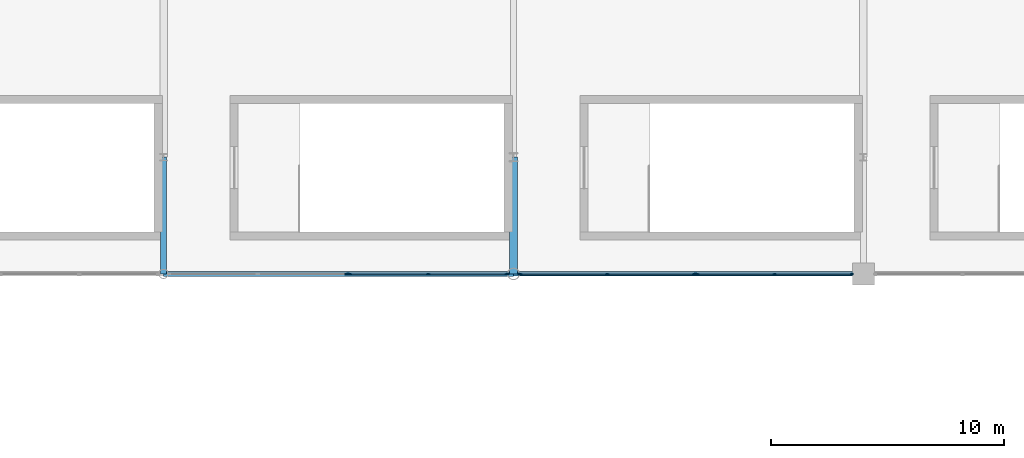
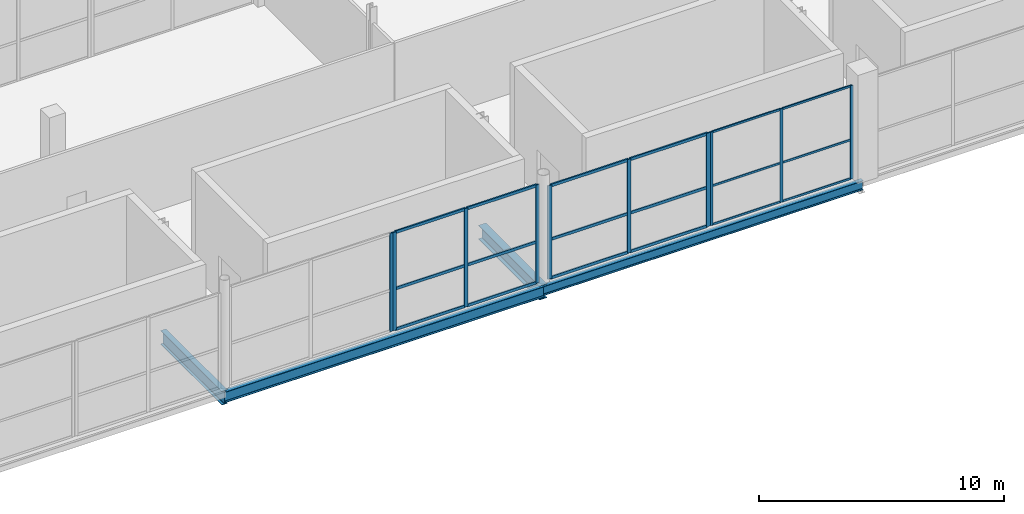
# One storey, part 33 of 119: 28 members, 4 beams, 4 elements without a shape of their own.
"""IFC4 building model written with IfcOpenShell, lengths in metres."""

from ifc_helpers import new_model, si_unit, direction, frame, origin, origin_2d, place, context, subcontext, project, spatial, rectangle, i_section, extrude, material, layer, layer_set, material_profile, profile_set, type_object, element, aggregate, save


model = new_model("IFC4")

# Units and contexts
model_context = context("Model", 3, precision=1e-05, world=origin(), true_north=direction((0.0, 1.0)))
body_context = subcontext(model_context, "Body", "Model", "MODEL_VIEW")
ifc_project = project(units=[si_unit("LENGTHUNIT", "METRE"), si_unit("AREAUNIT", "SQUARE_METRE"), si_unit("VOLUMEUNIT", "CUBIC_METRE"), si_unit("PLANEANGLEUNIT", "RADIAN"), si_unit("MASSUNIT", "GRAM", prefix="KILO")], contexts=[model_context])

# Site, building, storey
site_placement = place(None, origin())
site = spatial("IfcSite", under=ifc_project, at=site_placement, CompositionType="ELEMENT")
building_placement = place(site_placement, origin())
building = spatial("IfcBuilding", under=site, at=building_placement, Name="Qamarlyn Nura Convention Centre", CompositionType="ELEMENT")
storey_placement = place(building_placement, frame((0.0, 0.0, 5.39990234375)))
storey = spatial("IfcBuildingStorey", under=building, at=storey_placement, Name="L01", CompositionType="ELEMENT", Elevation=5.39990234375)

# Beams
ifc_material_1 = material(Name="Steel ASTM A992", Category="steel")
ifc_material_profile_1 = material_profile(ifc_material_1, i_section(OverallWidth=0.35498046875, OverallDepth=0.695068359375, WebThickness=0.015380859375, FlangeThickness=0.02490234375, FilletRadius=0.01806640625, at=origin_2d()), Name="W690X217")
ifc_profile_set_1 = profile_set([ifc_material_profile_1], Name="Steel ASTM A992")
beam_type_1 = type_object("IfcBeamType", Name="BM-GIRD-690A", PredefinedType="BEAM", material=ifc_profile_set_1)
beam_1_placement = place(storey_placement, frame((45.0, 103.0, -0.5673828125), z_axis=(0.0, 1.0, 0.0), x_axis=(-1.0, 0.0, 0.0)))
element("IfcBeam", 1, at=beam_1_placement, inside=storey, type_object=beam_type_1, Name="L01 girder 4 M-N", PredefinedType="BEAM", context=body_context, shape_type="SweptSolid", body=[
    extrude(i_section(OverallWidth=0.35498046875, OverallDepth=0.695068359375, WebThickness=0.015380859375, FlangeThickness=0.02490234375, FilletRadius=0.01806640625, at=origin_2d()), origin(), (0.0, 0.0, 1.0), 5.0),
])
ifc_material_profile_2 = material_profile(ifc_material_1, i_section(OverallWidth=0.25390625, OverallDepth=0.68408203125, WebThickness=0.012451171875, FlangeThickness=0.01904296875, FilletRadius=0.01806640625, at=origin_2d()), Name="W690X140")
ifc_profile_set_2 = profile_set([ifc_material_profile_2], Name="Steel ASTM A992")
beam_type_2 = type_object("IfcBeamType", Name="BM-GIRD-690B", PredefinedType="BEAM", material=ifc_profile_set_2)
beam_2_placement = place(storey_placement, frame((30.0, 103.0, -0.56201171875), z_axis=(0.0, 1.0, 0.0), x_axis=(-1.0, 0.0, 0.0)))
element("IfcBeam", 2, at=beam_2_placement, inside=storey, type_object=beam_type_2, Name="L01 girder 3 M-N", PredefinedType="BEAM", context=body_context, shape_type="SweptSolid", body=[
    extrude(i_section(OverallWidth=0.25390625, OverallDepth=0.68408203125, WebThickness=0.012451171875, FlangeThickness=0.01904296875, FilletRadius=0.01806640625, at=origin_2d()), origin(), (0.0, 0.0, 1.0), 5.0),
])
ifc_material_profile_3 = material_profile(ifc_material_1, i_section(OverallWidth=0.193115234375, OverallDepth=0.466064453125, WebThickness=0.011474609375, FlangeThickness=0.01904296875, FilletRadius=0.012939453125, at=origin_2d()), Name="W460X97")
ifc_profile_set_3 = profile_set([ifc_material_profile_3], Name="Steel ASTM A992")
beam_type_3 = type_object("IfcBeamType", Name="BM-SPAN-460", PredefinedType="SPANDREL", material=ifc_profile_set_3)
beam_3_placement = place(storey_placement, frame((45.0, 103.0, -0.452880859375), z_axis=(1.0, 0.0, 0.0), x_axis=(0.0, 1.0, 0.0)))
element("IfcBeam", 3, at=beam_3_placement, inside=storey, type_object=beam_type_3, Name="L01 girder M 4-5", PredefinedType="SPANDREL", context=body_context, shape_type="SweptSolid", body=[
    extrude(i_section(OverallWidth=0.193115234375, OverallDepth=0.466064453125, WebThickness=0.011474609375, FlangeThickness=0.01904296875, FilletRadius=0.012939453125, at=origin_2d()), origin(), (0.0, 0.0, 1.0), 15.0),
])
ifc_material_profile_4 = material_profile(ifc_material_1, i_section(OverallWidth=0.2109375, OverallDepth=0.5390625, WebThickness=0.01171875, FlangeThickness=0.018798828125, FilletRadius=0.013916015625, at=origin_2d()), Name="W530X109")
ifc_profile_set_4 = profile_set([ifc_material_profile_4], Name="Steel ASTM A992")
beam_type_4 = type_object("IfcBeamType", Name="BM-SPAN-530", PredefinedType="SPANDREL", material=ifc_profile_set_4)
beam_4_placement = place(storey_placement, frame((30.0, 103.0, -0.489501953125), z_axis=(1.0, 0.0, 0.0), x_axis=(0.0, 1.0, 0.0)))
element("IfcBeam", 4, at=beam_4_placement, inside=storey, type_object=beam_type_4, Name="L01 girder M 3-4", PredefinedType="SPANDREL", context=body_context, shape_type="SweptSolid", body=[
    extrude(i_section(OverallWidth=0.2109375, OverallDepth=0.5390625, WebThickness=0.01171875, FlangeThickness=0.018798828125, FilletRadius=0.013916015625, at=origin_2d()), origin(), (0.0, 0.0, 1.0), 15.0),
])

# Curtain wall, members
ifc_material_2 = material(Name="Double-silver low-E insulated glass", Category="glass")
ifc_layer_1 = layer(ifc_material_2, 0.179931640625, Name="CW-UNIT-37")
ifc_layer_set_1 = layer_set([ifc_layer_1], Name="Double-silver low-E insulated glass")
curtain_wall_type_1 = type_object("IfcCurtainWallType", Name="CW-UNIT-37", PredefinedType="NOTDEFINED", material=ifc_layer_set_1)
curtain_wall_1_placement = place(storey_placement, origin())
curtain_wall_1 = element("IfcCurtainWall", 5, at=curtain_wall_1_placement, inside=storey, type_object=curtain_wall_type_1, Name="L01 unitised curtain wall NS-INT-3-1A", PredefinedType="NOTDEFINED")
ifc_material_3 = material(Name="Champagne-anodised marine aluminium", Category="aluminium")
ifc_material_profile_5 = material_profile(ifc_material_3, rectangle(XDim=0.06005859375, YDim=0.139892578125, at=origin_2d()), Name="ALU MULLION 60x140")
ifc_profile_set_5 = profile_set([ifc_material_profile_5], Name="Champagne-anodised marine aluminium")
member_type_1 = type_object("IfcMemberType", Name="CWM-140", PredefinedType="MULLION", material=ifc_profile_set_5)
member_1_placement = place(storey_placement, frame((59.4951171875, 103.0, 0.0), z_axis=(0.0, 0.0, 1.0), x_axis=(0.0, -1.0, 0.0)))
member_1 = element("IfcMember", 6, at=member_1_placement, type_object=member_type_1, Name="CW37 mullion 1", PredefinedType="MULLION", context=body_context, shape_type="SweptSolid", body=[
    extrude(rectangle(XDim=0.06005859375, YDim=0.139892578125, at=origin_2d()), origin(), (0.0, 0.0, 1.0), 4.651123046875),
])
member_2_placement = place(storey_placement, frame((56.19140625, 103.0, 0.0), z_axis=(0.0, 0.0, 1.0), x_axis=(0.0, -1.0, 0.0)))
member_2 = element("IfcMember", 7, at=member_2_placement, type_object=member_type_1, Name="CW37 mullion 2", PredefinedType="MULLION", context=body_context, shape_type="SweptSolid", body=[
    extrude(rectangle(XDim=0.06005859375, YDim=0.139892578125, at=origin_2d()), origin(), (0.0, 0.0, 1.0), 4.651123046875),
])
member_3_placement = place(storey_placement, frame((52.8876953125, 103.0, 0.0), z_axis=(0.0, 0.0, 1.0), x_axis=(0.0, -1.0, 0.0)))
member_3 = element("IfcMember", 8, at=member_3_placement, type_object=member_type_1, Name="CW37 mullion 3", PredefinedType="MULLION", context=body_context, shape_type="SweptSolid", body=[
    extrude(rectangle(XDim=0.06005859375, YDim=0.139892578125, at=origin_2d()), origin(), (0.0, 0.0, 1.0), 4.651123046875),
])

# Curtain wall, member
ifc_layer_2 = layer(ifc_material_2, 0.179931640625, Name="CW-UNIT-36")
ifc_layer_set_2 = layer_set([ifc_layer_2], Name="Double-silver low-E insulated glass")
curtain_wall_type_2 = type_object("IfcCurtainWallType", Name="CW-UNIT-36", PredefinedType="NOTDEFINED", material=ifc_layer_set_2)
curtain_wall_2_placement = place(storey_placement, origin())
curtain_wall_2 = element("IfcCurtainWall", 9, at=curtain_wall_2_placement, inside=storey, type_object=curtain_wall_type_2, Name="L01 unitised curtain wall NS-INT-2-1B", PredefinedType="NOTDEFINED")
ifc_material_profile_6 = material_profile(ifc_material_3, rectangle(XDim=0.06494140625, YDim=0.159912109375, at=origin_2d()), Name="ALU MULLION 65x160")
ifc_profile_set_6 = profile_set([ifc_material_profile_6], Name="Champagne-anodised marine aluminium")
member_type_2 = type_object("IfcMemberType", Name="CWM-160", PredefinedType="MULLION", material=ifc_profile_set_6)
member_4_placement = place(storey_placement, frame((37.83837890625, 103.0, 0.0), z_axis=(0.0, 0.0, 1.0), x_axis=(0.0, -1.0, 0.0)))
member_4 = element("IfcMember", 10, at=member_4_placement, type_object=member_type_2, Name="CW36 mullion 1", PredefinedType="MULLION", context=body_context, shape_type="SweptSolid", body=[
    extrude(rectangle(XDim=0.06494140625, YDim=0.159912109375, at=origin_2d()), origin(), (0.0, 0.0, 1.0), 4.89013671875),
])
aggregate(curtain_wall_2, [member_4])

# Curtain wall, members
ifc_layer_3 = layer(ifc_material_2, 0.179931640625, Name="CW-UNIT-35")
ifc_layer_set_3 = layer_set([ifc_layer_3], Name="Double-silver low-E insulated glass")
curtain_wall_type_3 = type_object("IfcCurtainWallType", Name="CW-UNIT-35", PredefinedType="NOTDEFINED", material=ifc_layer_set_3)
curtain_wall_3_placement = place(storey_placement, origin())
curtain_wall_3 = element("IfcCurtainWall", 11, at=curtain_wall_3_placement, inside=storey, type_object=curtain_wall_type_3, Name="L01 unitised curtain wall NS-INT-2-1A", PredefinedType="NOTDEFINED")
ifc_material_profile_7 = material_profile(ifc_material_3, rectangle(XDim=0.070068359375, YDim=0.179931640625, at=origin_2d()), Name="ALU MULLION 70x180")
ifc_profile_set_7 = profile_set([ifc_material_profile_7], Name="Champagne-anodised marine aluminium")
member_type_3 = type_object("IfcMemberType", Name="CWM-180", PredefinedType="MULLION", material=ifc_profile_set_7)
member_5_placement = place(storey_placement, frame((44.7109375, 103.0, 0.0), z_axis=(0.0, 0.0, 1.0), x_axis=(0.0, -1.0, 0.0)))
member_5 = element("IfcMember", 12, at=member_5_placement, type_object=member_type_3, Name="CW35 mullion 1", PredefinedType="MULLION", context=body_context, shape_type="SweptSolid", body=[
    extrude(rectangle(XDim=0.070068359375, YDim=0.179931640625, at=origin_2d()), origin(), (0.0, 0.0, 1.0), 4.89013671875),
])
member_6_placement = place(storey_placement, frame((41.348388671875, 103.0, 0.0), z_axis=(0.0, 0.0, 1.0), x_axis=(0.0, -1.0, 0.0)))
member_6 = element("IfcMember", 13, at=member_6_placement, type_object=member_type_3, Name="CW35 mullion 2", PredefinedType="MULLION", context=body_context, shape_type="SweptSolid", body=[
    extrude(rectangle(XDim=0.070068359375, YDim=0.179931640625, at=origin_2d()), origin(), (0.0, 0.0, 1.0), 4.89013671875),
])
member_7_placement = place(storey_placement, frame((37.98583984375, 103.0, 0.0), z_axis=(0.0, 0.0, 1.0), x_axis=(0.0, -1.0, 0.0)))
member_7 = element("IfcMember", 14, at=member_7_placement, type_object=member_type_3, Name="CW35 mullion 3", PredefinedType="MULLION", context=body_context, shape_type="SweptSolid", body=[
    extrude(rectangle(XDim=0.070068359375, YDim=0.179931640625, at=origin_2d()), origin(), (0.0, 0.0, 1.0), 4.89013671875),
])

ifc_layer_4 = layer(ifc_material_2, 0.179931640625, Name="CW-UNIT-38")
ifc_layer_set_4 = layer_set([ifc_layer_4], Name="Double-silver low-E insulated glass")
curtain_wall_type_4 = type_object("IfcCurtainWallType", Name="CW-UNIT-38", PredefinedType="NOTDEFINED", material=ifc_layer_set_4)
curtain_wall_4_placement = place(storey_placement, origin())
curtain_wall_4 = element("IfcCurtainWall", 15, at=curtain_wall_4_placement, inside=storey, type_object=curtain_wall_type_4, Name="L01 unitised curtain wall NS-INT-3-1B", PredefinedType="NOTDEFINED")
member_8_placement = place(storey_placement, frame((52.74267578125, 103.0, 0.0), z_axis=(0.0, 0.0, 1.0), x_axis=(0.0, -1.0, 0.0)))
member_8 = element("IfcMember", 16, at=member_8_placement, type_object=member_type_3, Name="CW38 mullion 1", PredefinedType="MULLION", context=body_context, shape_type="SweptSolid", body=[
    extrude(rectangle(XDim=0.070068359375, YDim=0.179931640625, at=origin_2d()), origin(), (0.0, 0.0, 1.0), 4.651123046875),
])
member_9_placement = place(storey_placement, frame((49.015869140625, 103.0, 0.0), z_axis=(0.0, 0.0, 1.0), x_axis=(0.0, -1.0, 0.0)))
member_9 = element("IfcMember", 17, at=member_9_placement, type_object=member_type_3, Name="CW38 mullion 2", PredefinedType="MULLION", context=body_context, shape_type="SweptSolid", body=[
    extrude(rectangle(XDim=0.070068359375, YDim=0.179931640625, at=origin_2d()), origin(), (0.0, 0.0, 1.0), 4.651123046875),
])
member_10_placement = place(storey_placement, frame((45.2890625, 103.0, 0.0), z_axis=(0.0, 0.0, 1.0), x_axis=(0.0, -1.0, 0.0)))
member_10 = element("IfcMember", 18, at=member_10_placement, type_object=member_type_3, Name="CW38 mullion 3", PredefinedType="MULLION", context=body_context, shape_type="SweptSolid", body=[
    extrude(rectangle(XDim=0.070068359375, YDim=0.179931640625, at=origin_2d()), origin(), (0.0, 0.0, 1.0), 4.651123046875),
])

# Member
ifc_material_profile_8 = material_profile(ifc_material_3, rectangle(XDim=0.06005859375, YDim=0.10009765625, at=origin_2d()), Name="ALU TRANSOM 60x100")
ifc_profile_set_8 = profile_set([ifc_material_profile_8], Name="Champagne-anodised marine aluminium")
member_type_4 = type_object("IfcMemberType", Name="CWT-100", PredefinedType="USERDEFINED", material=ifc_profile_set_8)
member_11_placement = place(storey_placement, frame((59.465087890625, 103.0, 0.030029296875), z_axis=(-1.0, 0.0, 0.0), x_axis=(0.0, -1.0, 0.0)))
member_11 = element("IfcMember", 19, at=member_11_placement, type_object=member_type_4, Name="CW37 transom 1.1", ObjectType="TRANSOM", PredefinedType="USERDEFINED", context=body_context, shape_type="SweptSolid", body=[
    extrude(rectangle(XDim=0.06005859375, YDim=0.10009765625, at=origin_2d()), origin(), (0.0, 0.0, 1.0), 3.243896484375),
])

member_12_placement = place(storey_placement, frame((59.465087890625, 103.0, 1.953125), z_axis=(-1.0, 0.0, 0.0), x_axis=(0.0, -1.0, 0.0)))
member_12 = element("IfcMember", 20, at=member_12_placement, type_object=member_type_4, Name="CW37 transom 1.2", ObjectType="TRANSOM", PredefinedType="USERDEFINED", context=body_context, shape_type="SweptSolid", body=[
    extrude(rectangle(XDim=0.06005859375, YDim=0.10009765625, at=origin_2d()), origin(), (0.0, 0.0, 1.0), 3.243896484375),
])

member_13_placement = place(storey_placement, frame((59.465087890625, 103.0, 4.62109375), z_axis=(-1.0, 0.0, 0.0), x_axis=(0.0, -1.0, 0.0)))
member_13 = element("IfcMember", 21, at=member_13_placement, type_object=member_type_4, Name="CW37 transom 1.3", ObjectType="TRANSOM", PredefinedType="USERDEFINED", context=body_context, shape_type="SweptSolid", body=[
    extrude(rectangle(XDim=0.06005859375, YDim=0.10009765625, at=origin_2d()), origin(), (0.0, 0.0, 1.0), 3.243896484375),
])

member_14_placement = place(storey_placement, frame((56.161376953125, 103.0, 0.030029296875), z_axis=(-1.0, 0.0, 0.0), x_axis=(0.0, -1.0, 0.0)))
member_14 = element("IfcMember", 22, at=member_14_placement, type_object=member_type_4, Name="CW37 transom 2.1", ObjectType="TRANSOM", PredefinedType="USERDEFINED", context=body_context, shape_type="SweptSolid", body=[
    extrude(rectangle(XDim=0.06005859375, YDim=0.10009765625, at=origin_2d()), origin(), (0.0, 0.0, 1.0), 3.243896484375),
])

member_15_placement = place(storey_placement, frame((56.161376953125, 103.0, 1.953125), z_axis=(-1.0, 0.0, 0.0), x_axis=(0.0, -1.0, 0.0)))
member_15 = element("IfcMember", 23, at=member_15_placement, type_object=member_type_4, Name="CW37 transom 2.2", ObjectType="TRANSOM", PredefinedType="USERDEFINED", context=body_context, shape_type="SweptSolid", body=[
    extrude(rectangle(XDim=0.06005859375, YDim=0.10009765625, at=origin_2d()), origin(), (0.0, 0.0, 1.0), 3.243896484375),
])

member_16_placement = place(storey_placement, frame((56.161376953125, 103.0, 4.62109375), z_axis=(-1.0, 0.0, 0.0), x_axis=(0.0, -1.0, 0.0)))
member_16 = element("IfcMember", 24, at=member_16_placement, type_object=member_type_4, Name="CW37 transom 2.3", ObjectType="TRANSOM", PredefinedType="USERDEFINED", context=body_context, shape_type="SweptSolid", body=[
    extrude(rectangle(XDim=0.06005859375, YDim=0.10009765625, at=origin_2d()), origin(), (0.0, 0.0, 1.0), 3.243896484375),
])

aggregate(curtain_wall_1, [member_1, member_2, member_3, member_11, member_12, member_13, member_14, member_15, member_16])

ifc_material_profile_9 = material_profile(ifc_material_3, rectangle(XDim=0.070068359375, YDim=0.139892578125, at=origin_2d()), Name="ALU TRANSOM 70x140")
ifc_profile_set_9 = profile_set([ifc_material_profile_9], Name="Champagne-anodised marine aluminium")
member_type_5 = type_object("IfcMemberType", Name="CWT-140", PredefinedType="USERDEFINED", material=ifc_profile_set_9)
member_17_placement = place(storey_placement, frame((44.676025390625, 103.0, 0.03515625), z_axis=(-1.0, 0.0, 0.0), x_axis=(0.0, -1.0, 0.0)))
member_17 = element("IfcMember", 25, at=member_17_placement, type_object=member_type_5, Name="CW35 transom 1.1", ObjectType="TRANSOM", PredefinedType="USERDEFINED", context=body_context, shape_type="SweptSolid", body=[
    extrude(rectangle(XDim=0.070068359375, YDim=0.139892578125, at=origin_2d()), origin(), (0.0, 0.0, 1.0), 3.29248046875),
])

member_18_placement = place(storey_placement, frame((44.676025390625, 103.0, 2.05419921875), z_axis=(-1.0, 0.0, 0.0), x_axis=(0.0, -1.0, 0.0)))
member_18 = element("IfcMember", 26, at=member_18_placement, type_object=member_type_5, Name="CW35 transom 1.2", ObjectType="TRANSOM", PredefinedType="USERDEFINED", context=body_context, shape_type="SweptSolid", body=[
    extrude(rectangle(XDim=0.070068359375, YDim=0.139892578125, at=origin_2d()), origin(), (0.0, 0.0, 1.0), 3.29248046875),
])

member_19_placement = place(storey_placement, frame((44.676025390625, 103.0, 4.85498046875), z_axis=(-1.0, 0.0, 0.0), x_axis=(0.0, -1.0, 0.0)))
member_19 = element("IfcMember", 27, at=member_19_placement, type_object=member_type_5, Name="CW35 transom 1.3", ObjectType="TRANSOM", PredefinedType="USERDEFINED", context=body_context, shape_type="SweptSolid", body=[
    extrude(rectangle(XDim=0.070068359375, YDim=0.139892578125, at=origin_2d()), origin(), (0.0, 0.0, 1.0), 3.29248046875),
])

member_20_placement = place(storey_placement, frame((41.3134765625, 103.0, 0.03515625), z_axis=(-1.0, 0.0, 0.0), x_axis=(0.0, -1.0, 0.0)))
member_20 = element("IfcMember", 28, at=member_20_placement, type_object=member_type_5, Name="CW35 transom 2.1", ObjectType="TRANSOM", PredefinedType="USERDEFINED", context=body_context, shape_type="SweptSolid", body=[
    extrude(rectangle(XDim=0.070068359375, YDim=0.139892578125, at=origin_2d()), origin(), (0.0, 0.0, 1.0), 3.29248046875),
])

member_21_placement = place(storey_placement, frame((41.3134765625, 103.0, 2.05419921875), z_axis=(-1.0, 0.0, 0.0), x_axis=(0.0, -1.0, 0.0)))
member_21 = element("IfcMember", 29, at=member_21_placement, type_object=member_type_5, Name="CW35 transom 2.2", ObjectType="TRANSOM", PredefinedType="USERDEFINED", context=body_context, shape_type="SweptSolid", body=[
    extrude(rectangle(XDim=0.070068359375, YDim=0.139892578125, at=origin_2d()), origin(), (0.0, 0.0, 1.0), 3.29248046875),
])

member_22_placement = place(storey_placement, frame((41.3134765625, 103.0, 4.85498046875), z_axis=(-1.0, 0.0, 0.0), x_axis=(0.0, -1.0, 0.0)))
member_22 = element("IfcMember", 30, at=member_22_placement, type_object=member_type_5, Name="CW35 transom 2.3", ObjectType="TRANSOM", PredefinedType="USERDEFINED", context=body_context, shape_type="SweptSolid", body=[
    extrude(rectangle(XDim=0.070068359375, YDim=0.139892578125, at=origin_2d()), origin(), (0.0, 0.0, 1.0), 3.29248046875),
])

aggregate(curtain_wall_3, [member_5, member_6, member_7, member_17, member_18, member_19, member_20, member_21, member_22])

member_23_placement = place(storey_placement, frame((52.70751953125, 103.0, 0.03515625), z_axis=(-1.0, 0.0, 0.0), x_axis=(0.0, -1.0, 0.0)))
member_23 = element("IfcMember", 31, at=member_23_placement, type_object=member_type_5, Name="CW38 transom 1.1", ObjectType="TRANSOM", PredefinedType="USERDEFINED", context=body_context, shape_type="SweptSolid", body=[
    extrude(rectangle(XDim=0.070068359375, YDim=0.139892578125, at=origin_2d()), origin(), (0.0, 0.0, 1.0), 3.65673828125),
])

member_24_placement = place(storey_placement, frame((52.70751953125, 103.0, 1.953125), z_axis=(-1.0, 0.0, 0.0), x_axis=(0.0, -1.0, 0.0)))
member_24 = element("IfcMember", 32, at=member_24_placement, type_object=member_type_5, Name="CW38 transom 1.2", ObjectType="TRANSOM", PredefinedType="USERDEFINED", context=body_context, shape_type="SweptSolid", body=[
    extrude(rectangle(XDim=0.070068359375, YDim=0.139892578125, at=origin_2d()), origin(), (0.0, 0.0, 1.0), 3.65673828125),
])

member_25_placement = place(storey_placement, frame((52.70751953125, 103.0, 4.6162109375), z_axis=(-1.0, 0.0, 0.0), x_axis=(0.0, -1.0, 0.0)))
member_25 = element("IfcMember", 33, at=member_25_placement, type_object=member_type_5, Name="CW38 transom 1.3", ObjectType="TRANSOM", PredefinedType="USERDEFINED", context=body_context, shape_type="SweptSolid", body=[
    extrude(rectangle(XDim=0.070068359375, YDim=0.139892578125, at=origin_2d()), origin(), (0.0, 0.0, 1.0), 3.65673828125),
])

member_26_placement = place(storey_placement, frame((48.980712890625, 103.0, 0.03515625), z_axis=(-1.0, 0.0, 0.0), x_axis=(0.0, -1.0, 0.0)))
member_26 = element("IfcMember", 34, at=member_26_placement, type_object=member_type_5, Name="CW38 transom 2.1", ObjectType="TRANSOM", PredefinedType="USERDEFINED", context=body_context, shape_type="SweptSolid", body=[
    extrude(rectangle(XDim=0.070068359375, YDim=0.139892578125, at=origin_2d()), origin(), (0.0, 0.0, 1.0), 3.65673828125),
])

member_27_placement = place(storey_placement, frame((48.980712890625, 103.0, 1.953125), z_axis=(-1.0, 0.0, 0.0), x_axis=(0.0, -1.0, 0.0)))
member_27 = element("IfcMember", 35, at=member_27_placement, type_object=member_type_5, Name="CW38 transom 2.2", ObjectType="TRANSOM", PredefinedType="USERDEFINED", context=body_context, shape_type="SweptSolid", body=[
    extrude(rectangle(XDim=0.070068359375, YDim=0.139892578125, at=origin_2d()), origin(), (0.0, 0.0, 1.0), 3.65673828125),
])

member_28_placement = place(storey_placement, frame((48.980712890625, 103.0, 4.6162109375), z_axis=(-1.0, 0.0, 0.0), x_axis=(0.0, -1.0, 0.0)))
member_28 = element("IfcMember", 36, at=member_28_placement, type_object=member_type_5, Name="CW38 transom 2.3", ObjectType="TRANSOM", PredefinedType="USERDEFINED", context=body_context, shape_type="SweptSolid", body=[
    extrude(rectangle(XDim=0.070068359375, YDim=0.139892578125, at=origin_2d()), origin(), (0.0, 0.0, 1.0), 3.65673828125),
])

aggregate(curtain_wall_4, [member_8, member_9, member_10, member_23, member_24, member_25, member_26, member_27, member_28])

save(model, "model.ifc")
